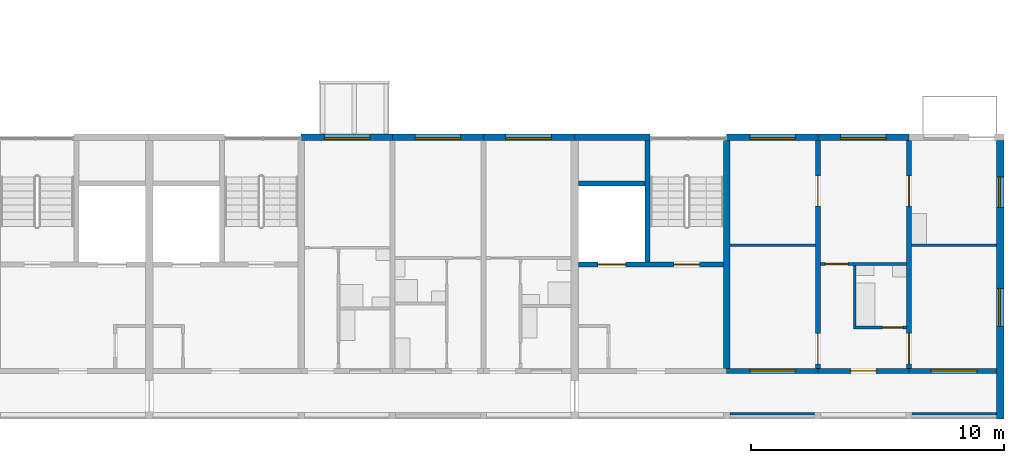
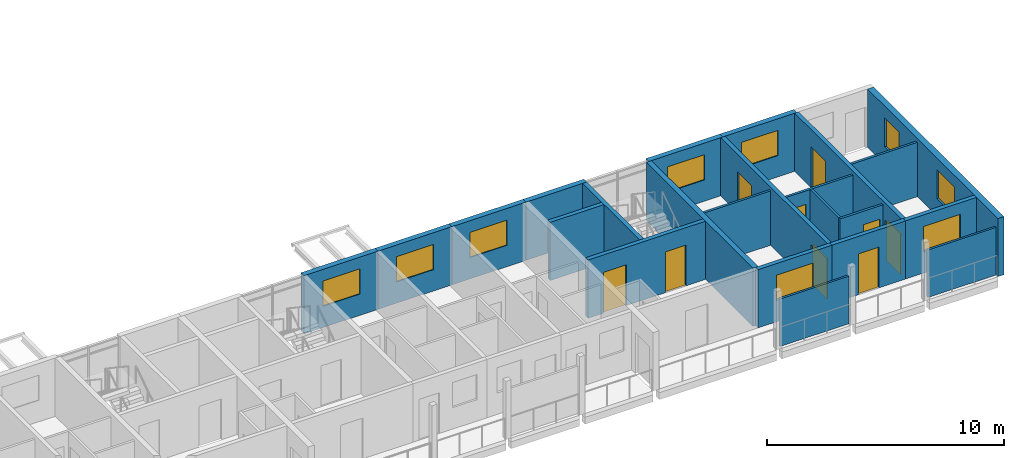
# One storey, part 53 of 94: 23 walls, 9 doors, 9 windows, 18 openings.
"""IFC4 building model written with IfcOpenShell, lengths in metres."""

import ifcopenshell
import ifcopenshell.guid

model = None  # the IFC model being written
_history = None  # IfcOwnerHistory: only IFC2X3 demands one
_inside = {}  # id of a spatial element -> (the spatial element, [elements in it])
_under = {}  # id of a project, library or spatial element -> (it, [spatial elements below it])
_declared = {}  # id of a project -> (the project, [libraries it declares])
_typed = {}  # id of a type object -> (the type object, [elements of that type])
_made_of = {}  # id of a material, layer set ... -> (it, [elements and type objects made of it])


def new_model(schema):
    """Start an empty IFC model of exactly this schema.

    Asked for "IFC4X3", IfcOpenShell would pick the latest addendum, in which some entities
    have other attributes; the version numbers below select the first issue.
    IFC2X3 requires an IfcOwnerHistory on every rooted entity: one is made here for all.
    """
    global model, _history
    if schema == "IFC4X3":
        model = ifcopenshell.file(schema_version=(4, 3, 0, 0))
    else:
        model = ifcopenshell.file(schema=schema)
    _inside.clear()
    _under.clear()
    _declared.clear()
    _typed.clear()
    _made_of.clear()
    _history = None
    if model.schema == "IFC2X3":
        org = make("IfcOrganization", Name="unknown")
        user = make(
            "IfcPersonAndOrganization",
            ThePerson=make("IfcPerson", FamilyName="unknown"),
            TheOrganization=org,
        )
        app = make(
            "IfcApplication",
            ApplicationDeveloper=org,
            Version="unknown",
            ApplicationFullName="unknown",
            ApplicationIdentifier="unknown",
        )
        _history = make(
            "IfcOwnerHistory",
            OwningUser=user,
            OwningApplication=app,
            ChangeAction="ADDED",
            CreationDate=0,
        )
    return model


def make(cls, **values):
    """One entity of the class cls with the attributes given. An attribute that is None is left unset."""
    return model.create_entity(
        cls, **{name: value for name, value in values.items() if value is not None}
    )


def rooted(cls, **values):
    """An entity with a GlobalId (a new one), such as an element, a storey or a relation."""
    return make(cls, GlobalId=ifcopenshell.guid.new(), OwnerHistory=_history, **values)


def si_unit(unit_type, name, prefix=None):
    """IfcSIUnit, for example si_unit("LENGTHUNIT", "METRE", prefix="MILLI")."""
    return make("IfcSIUnit", UnitType=unit_type, Prefix=prefix, Name=name)


def assignment(units):
    """IfcUnitAssignment: the units of a project."""
    return None if units is None else make("IfcUnitAssignment", Units=units)


def point(xyz):
    """IfcCartesianPoint."""
    return None if xyz is None else make("IfcCartesianPoint", Coordinates=xyz)


def direction(xyz):
    """IfcDirection."""
    return None if xyz is None else make("IfcDirection", DirectionRatios=xyz)


def frame(location, z_axis=None, x_axis=None):
    """IfcAxis2Placement3D, a coordinate frame: its origin and axes. An axis left out is left unset."""
    return make(
        "IfcAxis2Placement3D",
        Location=point(location),
        Axis=direction(z_axis),
        RefDirection=direction(x_axis),
    )


def frame_2d(location, x_axis=None):
    """IfcAxis2Placement2D, a coordinate frame in the plane: its origin and x axis."""
    return make(
        "IfcAxis2Placement2D", Location=point(location), RefDirection=direction(x_axis)
    )


def origin():
    """The frame at (0, 0, 0) with its axes left unset."""
    return frame((0.0, 0.0, 0.0))


def place(relative_to, where):
    """IfcLocalPlacement: puts the frame where relative to a parent placement (None: the world)."""
    return make(
        "IfcLocalPlacement", PlacementRelTo=relative_to, RelativePlacement=where
    )


def context(
    kind, dimensions, precision=None, world=None, true_north=None, identifier=None
):
    """IfcGeometricRepresentationContext, for example the 3D "Model" context."""
    return make(
        "IfcGeometricRepresentationContext",
        ContextIdentifier=identifier,
        ContextType=kind,
        CoordinateSpaceDimension=dimensions,
        Precision=precision,
        WorldCoordinateSystem=world,
        TrueNorth=true_north,
    )


def subcontext(parent, identifier, kind, view, scale=None):
    """IfcGeometricRepresentationSubContext, for example "Body" below "Model"."""
    return make(
        "IfcGeometricRepresentationSubContext",
        ContextIdentifier=identifier,
        ContextType=kind,
        ParentContext=parent,
        TargetScale=scale,
        TargetView=view,
    )


def project(units=None, contexts=None):
    """IfcProject with its units and contexts."""
    return rooted(
        "IfcProject",
        Name="project",
        RepresentationContexts=contexts,
        UnitsInContext=assignment(units),
    )


def spatial(cls, under=None, at=None, **own):
    """A site, building, storey or space (cls), placed at a placement, below another one or the project."""
    s = rooted(cls, ObjectPlacement=at, **own)
    if under is not None:
        _under.setdefault(under.id(), (under, []))[1].append(s)
    return s


def profile(cls, at=None, kind="AREA", **sizes):
    """A parametric profile (cls). Its sizes go by their IFC names, for example OverallWidth=200.0."""
    return make(cls, ProfileType=kind, Position=at, **sizes)


def rectangle(**sizes):
    """IfcRectangleProfileDef."""
    return profile("IfcRectangleProfileDef", **sizes)


def extrude(swept, where, along, depth):
    """IfcExtrudedAreaSolid: the profile swept, set in the frame where, extruded along a direction by depth."""
    return make(
        "IfcExtrudedAreaSolid",
        SweptArea=swept,
        Position=where,
        ExtrudedDirection=direction(along),
        Depth=depth,
    )


def shape(context_of_items, identifier, shape_type, items):
    """IfcShapeRepresentation: the items that make up one representation, for example the "Body"."""
    return make(
        "IfcShapeRepresentation",
        ContextOfItems=context_of_items,
        RepresentationIdentifier=identifier,
        RepresentationType=shape_type,
        Items=items,
    )


def material(Name=None, Category=None):
    """IfcMaterial."""
    return make("IfcMaterial", Name=Name, Category=Category)


def layer(
    of_material, thickness, ventilated=None, Name=None, Category=None, Priority=None
):
    """IfcMaterialLayer: one layer of a wall or slab, of a material (None: an air gap)."""
    return make(
        "IfcMaterialLayer",
        Material=of_material,
        LayerThickness=thickness,
        IsVentilated=ventilated,
        Name=Name,
        Category=Category,
        Priority=Priority,
    )


def layer_set(layers, Name=None):
    """IfcMaterialLayerSet."""
    return make("IfcMaterialLayerSet", MaterialLayers=layers, LayerSetName=Name)


def made_of(thing, what):
    """Note that an element or type object is made of a material, layer set ...; save() writes the relation."""
    if what is not None:
        _made_of.setdefault(what.id(), (what, []))[1].append(thing)
    return thing


def type_object(cls, material=None, **own):
    """A type object (cls), such as IfcWallType, which elements share."""
    return made_of(rooted(cls, **own), material)


def element(
    cls,
    number,
    at=None,
    inside=None,
    cuts=None,
    type_object=None,
    material=None,
    context=None,
    identifier="Body",
    shape_type=None,
    held_by="IfcProductDefinitionShape",
    body=None,
    shapes=None,
    **own,
):
    """One element of the class cls, such as IfcWall. Its Tag is "e" and its number.

    at: its placement. inside: the storey or other place that contains it. cuts: it is an
    opening in that element (IfcRelVoidsElement). A single representation is given by context,
    identifier, shape_type and body (its items); several are given by shapes. held_by: the class
    of the entity that holds the representations. save() writes the other relations.
    """
    e = rooted(cls, Tag="e%d" % number, ObjectPlacement=at, **own)
    if body is not None:
        shapes = [shape(context, identifier, shape_type, body)]
    if shapes is not None:
        e.Representation = make(held_by, Representations=shapes)
    if inside is not None:
        _inside.setdefault(inside.id(), (inside, []))[1].append(e)
    if cuts is not None:
        rooted(
            "IfcRelVoidsElement", RelatingBuildingElement=cuts, RelatedOpeningElement=e
        )
    if type_object is not None:
        _typed.setdefault(type_object.id(), (type_object, []))[1].append(e)
    return made_of(e, material)


def fill(opening, filler):
    """IfcRelFillsElement: the door or window that sits in an opening."""
    return rooted(
        "IfcRelFillsElement",
        RelatingOpeningElement=opening,
        RelatedBuildingElement=filler,
    )


def aggregate(whole, parts):
    """IfcRelAggregates: a whole, such as a stair, and the parts it consists of."""
    return rooted("IfcRelAggregates", RelatingObject=whole, RelatedObjects=parts)


def save(model, path):
    """Write the relations noted so far, then the file.

    IfcRelAggregates (storeys below a building ...), IfcRelContainedInSpatialStructure (elements
    in a storey), IfcRelDefinesByType, IfcRelAssociatesMaterial and IfcRelDeclares: one each for
    every whole, place, type object, material and project.
    """
    for whole, parts in _under.values():
        aggregate(whole, parts)
    for where, things in _inside.values():
        rooted(
            "IfcRelContainedInSpatialStructure",
            RelatedElements=things,
            RelatingStructure=where,
        )
    for kind, things in _typed.values():
        rooted("IfcRelDefinesByType", RelatedObjects=things, RelatingType=kind)
    for what, things in _made_of.values():
        rooted("IfcRelAssociatesMaterial", RelatedObjects=things, RelatingMaterial=what)
    for by, libraries in _declared.values():
        rooted("IfcRelDeclares", RelatingContext=by, RelatedDefinitions=libraries)
    model.write(path)


model = new_model("IFC4")

# Units and contexts
model_context = context("Model", 3, precision=1e-05, world=origin(), true_north=direction((0.0, 1.0)))
body_context = subcontext(model_context, "Body", "Model", "MODEL_VIEW")
ifc_project = project(units=[si_unit("LENGTHUNIT", "METRE"), si_unit("AREAUNIT", "SQUARE_METRE"), si_unit("VOLUMEUNIT", "CUBIC_METRE"), si_unit("PLANEANGLEUNIT", "RADIAN"), si_unit("MASSUNIT", "GRAM", prefix="KILO")], contexts=[model_context])

# Site, building, storey
site_placement = place(None, origin())
site = spatial("IfcSite", under=ifc_project, at=site_placement, CompositionType="ELEMENT")
building_placement = place(site_placement, origin())
building = spatial("IfcBuilding", under=site, at=building_placement, Name="Ridgestep Commons", CompositionType="ELEMENT")
storey_placement = place(building_placement, frame((0.0, 0.0, 21.0)))
storey = spatial("IfcBuildingStorey", under=building, at=storey_placement, Name="L07", CompositionType="ELEMENT", Elevation=21.0)

# Wall
ifc_material_1 = material(Name="Concrete C30/37", Category="concrete")
ifc_layer_1 = layer(ifc_material_1, 0.25)
ifc_layer_set_1 = layer_set([ifc_layer_1], Name="Core cross wall 250")
wall_type_1 = type_object("IfcWallType", Name="Core cross wall 250", PredefinedType="SHEAR", material=ifc_layer_set_1)
wall_1_placement = place(storey_placement, frame((236.800048828125, 13.75, 0.0), z_axis=(0.0, 0.0, 1.0), x_axis=(0.0, 1.0, 0.0)))
element("IfcWall", 1, at=wall_1_placement, inside=storey, type_object=wall_type_1, Name="Cross wall D-07-2368", PredefinedType="SHEAR", context=body_context, shape_type="SweptSolid", body=[
    extrude(rectangle(XDim=9.0, YDim=0.25, at=frame_2d((4.5, 0.0))), origin(), (0.0, 0.0, 1.0), 3.0),
])

# Wall, openings, doors
ifc_material_2 = material(Name="Concrete C30/37", Category="concrete")
ifc_layer_2 = layer(ifc_material_2, 0.199951171875)
ifc_layer_set_2 = layer_set([ifc_layer_2], Name="Core wall 200")
wall_type_2 = type_object("IfcWallType", Name="Core wall 200", PredefinedType="SHEAR", material=ifc_layer_set_2)
wall_2_placement = place(storey_placement, frame((230.949951171875, 17.85009765625, 0.0), z_axis=(0.0, 0.0, 1.0), x_axis=(1.0, 0.0, 0.0)))
wall_2 = element("IfcWall", 2, at=wall_2_placement, inside=storey, type_object=wall_type_2, Name="Core lobby wall D6C L07", PredefinedType="SHEAR", context=body_context, shape_type="SweptSolid", body=[
    extrude(rectangle(XDim=5.72509765625, YDim=0.199951171875, at=frame_2d((2.862548828125, 0.0))), origin(), (0.0, 0.0, 1.0), 3.0),
])
opening_1_placement = place(wall_2_placement, frame((3.77490234375, 0.0, 0.0)))
opening_1 = element("IfcOpeningElement", 3, at=opening_1_placement, cuts=wall_2, Name="Opening D6C/07/2", PredefinedType="OPENING", context=body_context, shape_type="SweptSolid", body=[
    extrude(rectangle(XDim=1.0, YDim=2.10009765625, at=frame_2d((0.5, 1.050048828125))), frame((0.0, 0.10986328125, 0.0), z_axis=(0.0, -1.0, 0.0), x_axis=(1.0, 0.0, 0.0)), (0.0, 0.0, 1.0), 0.219970703125),
])
opening_2_placement = place(wall_2_placement, frame((0.762451171875, 0.0, 0.0)))
opening_2 = element("IfcOpeningElement", 4, at=opening_2_placement, cuts=wall_2, Name="Opening D6C/07/3", PredefinedType="OPENING", context=body_context, shape_type="SweptSolid", body=[
    extrude(rectangle(XDim=1.10009765625, YDim=2.10009765625, at=frame_2d((0.550048828125, 1.050048828125))), frame((0.0, 0.10986328125, 0.0), z_axis=(0.0, -1.0, 0.0), x_axis=(1.0, 0.0, 0.0)), (0.0, 0.0, 1.0), 0.219970703125),
])
ifc_material_3 = material(Name="Stainless steel", Category="steel")
door_type_1 = type_object("IfcDoorType", Name="Lift landing door 1100 x 2100 FD60", OperationType="DOUBLE_DOOR_SLIDING", PredefinedType="DOOR", material=ifc_material_3)
door_1_placement = place(opening_2_placement, origin())
door_1 = element("IfcDoor", 5, at=door_1_placement, inside=storey, type_object=door_type_1, Name="Landing door LD D6C L07", OperationType="DOUBLE_DOOR_SLIDING", OverallHeight=2.10009765625, OverallWidth=1.10009765625, PredefinedType="DOOR", context=body_context, shape_type="SweptSolid", body=[
    extrude(rectangle(XDim=1.10009765625, YDim=2.10009765625, at=frame_2d((0.550048828125, 1.050048828125))), frame((0.0, 0.02490234375, 0.0), z_axis=(0.0, -1.0, 0.0), x_axis=(1.0, 0.0, 0.0)), (0.0, 0.0, 1.0), 0.050048828125),
])
fill(opening_2, door_1)
ifc_material_4 = material(Name="Steel fire door", Category="steel")
door_type_2 = type_object("IfcDoorType", Name="Stair door 1000 x 2100 FD60", OperationType="NOTDEFINED", PredefinedType="DOOR", material=ifc_material_4)
door_2_placement = place(opening_1_placement, origin())
door_2 = element("IfcDoor", 6, at=door_2_placement, inside=storey, type_object=door_type_2, Name="Stair door D6C/07/2", OperationType="SINGLE_SWING_RIGHT", OverallHeight=2.10009765625, OverallWidth=1.0, PredefinedType="DOOR", context=body_context, shape_type="SweptSolid", body=[
    extrude(rectangle(XDim=1.0, YDim=2.10009765625, at=frame_2d((0.5, 1.050048828125))), frame((0.0, 0.02490234375, 0.0), z_axis=(0.0, -1.0, 0.0), x_axis=(1.0, 0.0, 0.0)), (0.0, 0.0, 1.0), 0.050048828125),
])
fill(opening_1, door_2)

# Walls
wall_3_placement = place(storey_placement, frame((233.675048828125, 17.949951171875, 0.0), z_axis=(0.0, 0.0, 1.0), x_axis=(0.0, 1.0, 0.0)))
element("IfcWall", 7, at=wall_3_placement, inside=storey, type_object=wall_type_2, Name="Core stair wall D6C L07", PredefinedType="SHEAR", context=body_context, shape_type="SweptSolid", body=[
    extrude(rectangle(XDim=4.800048828125, YDim=0.199951171875, at=frame_2d((2.39990234375, 0.0))), origin(), (0.0, 0.0, 1.0), 3.0),
])
wall_4_placement = place(storey_placement, frame((230.949951171875, 21.050048828125, 0.0), z_axis=(0.0, 0.0, 1.0), x_axis=(1.0, 0.0, 0.0)))
element("IfcWall", 8, at=wall_4_placement, inside=storey, type_object=wall_type_2, Name="Core duct wall D6C L07", PredefinedType="SHEAR", context=body_context, shape_type="SweptSolid", body=[
    extrude(rectangle(XDim=2.625, YDim=0.199951171875, at=frame_2d((1.3125, 0.0))), origin(), (0.0, 0.0, 1.0), 3.0),
])

# Wall, openings, doors
ifc_material_5 = material(Name="Precast concrete C40/50", Category="concrete")
ifc_layer_3 = layer(ifc_material_5, 0.199951171875)
ifc_layer_set_3 = layer_set([ifc_layer_3], Name="Cross wall 200")
wall_type_3 = type_object("IfcWallType", Name="Cross wall 200", PredefinedType="SHEAR", material=ifc_layer_set_3)
wall_5_placement = place(storey_placement, frame((240.39990234375, 13.75, 0.0), z_axis=(0.0, 0.0, 1.0), x_axis=(0.0, 1.0, 0.0)))
wall_5 = element("IfcWall", 9, at=wall_5_placement, inside=storey, type_object=wall_type_3, Name="Cross wall D-07-2404", PredefinedType="SHEAR", context=body_context, shape_type="SweptSolid", body=[
    extrude(rectangle(XDim=9.0, YDim=0.199951171875, at=frame_2d((4.5, 0.0))), origin(), (0.0, 0.0, 1.0), 3.0),
])
opening_3_placement = place(wall_5_placement, frame((0.175048828125, 0.0, 0.0)))
opening_3 = element("IfcOpeningElement", 10, at=opening_3_placement, cuts=wall_5, Name="Opening D6-07a/4", PredefinedType="OPENING", context=body_context, shape_type="SweptSolid", body=[
    extrude(rectangle(XDim=1.199951171875, YDim=2.10009765625, at=frame_2d((0.60009765625, 1.050048828125))), frame((0.0, 0.10986328125, 0.0), z_axis=(0.0, -1.0, 0.0), x_axis=(1.0, 0.0, 0.0)), (0.0, 0.0, 1.0), 0.219970703125),
])
opening_4_placement = place(wall_5_placement, frame((6.39990234375, 0.0, 0.0)))
opening_4 = element("IfcOpeningElement", 11, at=opening_4_placement, cuts=wall_5, Name="Opening D6-07a/5", PredefinedType="OPENING", context=body_context, shape_type="SweptSolid", body=[
    extrude(rectangle(XDim=1.199951171875, YDim=2.10009765625, at=frame_2d((0.60009765625, 1.050048828125))), frame((0.0, 0.10986328125, 0.0), z_axis=(0.0, -1.0, 0.0), x_axis=(1.0, 0.0, 0.0)), (0.0, 0.0, 1.0), 0.219970703125),
])
ifc_material_6 = material(Name="Timber door leaf", Category="wood")
door_type_3 = type_object("IfcDoorType", Name="Double door 1200 x 2100", OperationType="DOUBLE_DOOR_SINGLE_SWING", PredefinedType="DOOR", material=ifc_material_6)
door_3_placement = place(opening_3_placement, origin())
door_3 = element("IfcDoor", 12, at=door_3_placement, inside=storey, type_object=door_type_3, Name="Double door D6-07a/4", OperationType="DOUBLE_DOOR_SINGLE_SWING", OverallHeight=2.10009765625, OverallWidth=1.199951171875, PredefinedType="DOOR", context=body_context, shape_type="SweptSolid", body=[
    extrude(rectangle(XDim=1.199951171875, YDim=2.10009765625, at=frame_2d((0.60009765625, 1.050048828125))), frame((0.0, 0.02490234375, 0.0), z_axis=(0.0, -1.0, 0.0), x_axis=(1.0, 0.0, 0.0)), (0.0, 0.0, 1.0), 0.050048828125),
])
fill(opening_3, door_3)
door_4_placement = place(opening_4_placement, origin())
door_4 = element("IfcDoor", 13, at=door_4_placement, inside=storey, type_object=door_type_3, Name="Double door D6-07a/5", OperationType="DOUBLE_DOOR_SINGLE_SWING", OverallHeight=2.10009765625, OverallWidth=1.199951171875, PredefinedType="DOOR", context=body_context, shape_type="SweptSolid", body=[
    extrude(rectangle(XDim=1.199951171875, YDim=2.10009765625, at=frame_2d((0.60009765625, 1.050048828125))), frame((0.0, 0.02490234375, 0.0), z_axis=(0.0, -1.0, 0.0), x_axis=(1.0, 0.0, 0.0)), (0.0, 0.0, 1.0), 0.050048828125),
])
fill(opening_4, door_4)

wall_6_placement = place(storey_placement, frame((244.0, 13.75, 0.0), z_axis=(0.0, 0.0, 1.0), x_axis=(0.0, 1.0, 0.0)))
wall_6 = element("IfcWall", 14, at=wall_6_placement, inside=storey, type_object=wall_type_3, Name="Cross wall D-07-2440", PredefinedType="SHEAR", context=body_context, shape_type="SweptSolid", body=[
    extrude(rectangle(XDim=9.0, YDim=0.199951171875, at=frame_2d((4.5, 0.0))), origin(), (0.0, 0.0, 1.0), 3.0),
])
opening_5_placement = place(wall_6_placement, frame((0.175048828125, 0.0, 0.0)))
opening_5 = element("IfcOpeningElement", 15, at=opening_5_placement, cuts=wall_6, Name="Opening D6-07a/6", PredefinedType="OPENING", context=body_context, shape_type="SweptSolid", body=[
    extrude(rectangle(XDim=1.199951171875, YDim=2.10009765625, at=frame_2d((0.60009765625, 1.050048828125))), frame((0.0, 0.10986328125, 0.0), z_axis=(0.0, -1.0, 0.0), x_axis=(1.0, 0.0, 0.0)), (0.0, 0.0, 1.0), 0.219970703125),
])
opening_6_placement = place(wall_6_placement, frame((6.39990234375, 0.0, 0.0)))
opening_6 = element("IfcOpeningElement", 16, at=opening_6_placement, cuts=wall_6, Name="Opening D6-07a/7", PredefinedType="OPENING", context=body_context, shape_type="SweptSolid", body=[
    extrude(rectangle(XDim=1.199951171875, YDim=2.10009765625, at=frame_2d((0.60009765625, 1.050048828125))), frame((0.0, 0.10986328125, 0.0), z_axis=(0.0, -1.0, 0.0), x_axis=(1.0, 0.0, 0.0)), (0.0, 0.0, 1.0), 0.219970703125),
])
door_5_placement = place(opening_5_placement, origin())
door_5 = element("IfcDoor", 17, at=door_5_placement, inside=storey, type_object=door_type_3, Name="Double door D6-07a/6", OperationType="DOUBLE_DOOR_SINGLE_SWING", OverallHeight=2.10009765625, OverallWidth=1.199951171875, PredefinedType="DOOR", context=body_context, shape_type="SweptSolid", body=[
    extrude(rectangle(XDim=1.199951171875, YDim=2.10009765625, at=frame_2d((0.60009765625, 1.050048828125))), frame((0.0, 0.02490234375, 0.0), z_axis=(0.0, -1.0, 0.0), x_axis=(1.0, 0.0, 0.0)), (0.0, 0.0, 1.0), 0.050048828125),
])
fill(opening_5, door_5)
door_6_placement = place(opening_6_placement, origin())
door_6 = element("IfcDoor", 18, at=door_6_placement, inside=storey, type_object=door_type_3, Name="Double door D6-07a/7", OperationType="DOUBLE_DOOR_SINGLE_SWING", OverallHeight=2.10009765625, OverallWidth=1.199951171875, PredefinedType="DOOR", context=body_context, shape_type="SweptSolid", body=[
    extrude(rectangle(XDim=1.199951171875, YDim=2.10009765625, at=frame_2d((0.60009765625, 1.050048828125))), frame((0.0, 0.02490234375, 0.0), z_axis=(0.0, -1.0, 0.0), x_axis=(1.0, 0.0, 0.0)), (0.0, 0.0, 1.0), 0.050048828125),
])
fill(opening_6, door_6)

# Wall, openings, windows
ifc_material_7 = material(Name="Precast concrete C40/50", Category="concrete")
ifc_layer_4 = layer(ifc_material_7, 0.300048828125)
ifc_layer_set_4 = layer_set([ifc_layer_4], Name="Exposed division wall 300")
wall_type_4 = type_object("IfcWallType", Name="Exposed division wall 300", PredefinedType="SHEAR", material=ifc_layer_set_4)
wall_7_placement = place(storey_placement, frame((247.60009765625, 11.75, 0.0), z_axis=(0.0, 0.0, 1.0), x_axis=(0.0, 1.0, 0.0)))
wall_7 = element("IfcWall", 19, at=wall_7_placement, inside=storey, type_object=wall_type_4, Name="Cross wall D-07-2476", PredefinedType="SHEAR", context=body_context, shape_type="SweptSolid", body=[
    extrude(rectangle(XDim=11.0, YDim=0.300048828125, at=frame_2d((5.5, 0.0))), origin(), (0.0, 0.0, 1.0), 3.0),
])
opening_7_placement = place(wall_7_placement, frame((3.64990234375, 0.0, 0.89990234375)))
opening_7 = element("IfcOpeningElement", 20, at=opening_7_placement, cuts=wall_7, Name="Opening W16", PredefinedType="OPENING", context=body_context, shape_type="SweptSolid", body=[
    extrude(rectangle(XDim=1.5, YDim=1.5, at=frame_2d((0.75, 0.75))), frame((0.0, 0.159912109375, 0.0), z_axis=(0.0, -1.0, 0.0), x_axis=(1.0, 0.0, 0.0)), (0.0, 0.0, 1.0), 0.320068359375),
])
opening_8_placement = place(wall_7_placement, frame((8.35498046875, 0.0, 0.89990234375)))
opening_8 = element("IfcOpeningElement", 21, at=opening_8_placement, cuts=wall_7, Name="Opening W10", PredefinedType="OPENING", context=body_context, shape_type="SweptSolid", body=[
    extrude(rectangle(XDim=1.199951171875, YDim=1.5, at=frame_2d((0.60009765625, 0.75))), frame((0.0, 0.159912109375, 0.0), z_axis=(0.0, -1.0, 0.0), x_axis=(1.0, 0.0, 0.0)), (0.0, 0.0, 1.0), 0.320068359375),
])
ifc_material_8 = material(Name="Aluminium 6063-T6 and glass", Category="aluminium")
window_type_1 = type_object("IfcWindowType", Name="Flat window 1200 x 1500", PartitioningType="SINGLE_PANEL", PredefinedType="WINDOW", material=ifc_material_8)
window_1_placement = place(opening_8_placement, origin())
window_1 = element("IfcWindow", 22, at=window_1_placement, inside=storey, type_object=window_type_1, Name="Window D6-07a 7", OverallHeight=1.5, OverallWidth=1.199951171875, PartitioningType="SINGLE_PANEL", PredefinedType="WINDOW", context=body_context, shape_type="SweptSolid", body=[
    extrude(rectangle(XDim=1.199951171875, YDim=1.5, at=frame_2d((0.60009765625, 0.75))), frame((0.0, 0.06005859375, 0.0), z_axis=(0.0, -1.0, 0.0), x_axis=(1.0, 0.0, 0.0)), (0.0, 0.0, 1.0), 0.06005859375),
])
fill(opening_8, window_1)
ifc_material_9 = material(Name="Aluminium 6063-T6 and glass", Category="aluminium")
window_type_2 = type_object("IfcWindowType", Name="Flat window 1500 x 1500", PartitioningType="DOUBLE_PANEL_VERTICAL", PredefinedType="WINDOW", material=ifc_material_9)
window_2_placement = place(opening_7_placement, origin())
window_2 = element("IfcWindow", 23, at=window_2_placement, inside=storey, type_object=window_type_2, Name="Window D6-07a 6", OverallHeight=1.5, OverallWidth=1.5, PartitioningType="SINGLE_PANEL", PredefinedType="WINDOW", context=body_context, shape_type="SweptSolid", body=[
    extrude(rectangle(XDim=1.5, YDim=1.5, at=frame_2d((0.75, 0.75))), frame((0.0, 0.06005859375, 0.0), z_axis=(0.0, -1.0, 0.0), x_axis=(1.0, 0.0, 0.0)), (0.0, 0.0, 1.0), 0.06005859375),
])
fill(opening_7, window_2)

# Wall, opening, window
ifc_material_10 = material(Name="Precast concrete C40/50", Category="concrete")
ifc_layer_5 = layer(ifc_material_10, 0.25)
ifc_layer_set_5 = layer_set([ifc_layer_5], Name="North facade panel 250")
wall_type_5 = type_object("IfcWallType", Name="North facade panel 250", PredefinedType="SOLIDWALL", material=ifc_layer_set_5)
wall_8_placement = place(storey_placement, frame((220.0, 22.875, 0.0), z_axis=(0.0, 0.0, 1.0), x_axis=(1.0, 0.0, 0.0)))
wall_8 = element("IfcWall", 24, at=wall_8_placement, inside=storey, type_object=wall_type_5, Name="North panel D5T3 L07", PredefinedType="SOLIDWALL", context=body_context, shape_type="SweptSolid", body=[
    extrude(rectangle(XDim=3.60009765625, YDim=0.25, at=frame_2d((1.800048828125, 0.0))), origin(), (0.0, 0.0, 1.0), 3.0),
])
opening_9_placement = place(wall_8_placement, frame((0.91259765625, 0.0, 1.10009765625)))
opening_9 = element("IfcOpeningElement", 25, at=opening_9_placement, cuts=wall_8, Name="Opening W18", PredefinedType="OPENING", context=body_context, shape_type="SweptSolid", body=[
    extrude(rectangle(XDim=1.800048828125, YDim=1.300048828125, at=frame_2d((0.89990234375, 0.64990234375))), frame((0.0, 0.135009765625, 0.0), z_axis=(0.0, -1.0, 0.0), x_axis=(1.0, 0.0, 0.0)), (0.0, 0.0, 1.0), 0.27001953125),
])
ifc_material_11 = material(Name="Aluminium 6063-T6 and glass", Category="aluminium")
window_type_3 = type_object("IfcWindowType", Name="Flat window 1800 x 1300", PartitioningType="DOUBLE_PANEL_VERTICAL", PredefinedType="WINDOW", material=ifc_material_11)
window_3_placement = place(opening_9_placement, origin())
window_3 = element("IfcWindow", 26, at=window_3_placement, inside=storey, type_object=window_type_3, Name="Window D5-07c 2", OverallHeight=1.300048828125, OverallWidth=1.800048828125, PartitioningType="SINGLE_PANEL", PredefinedType="WINDOW", context=body_context, shape_type="SweptSolid", body=[
    extrude(rectangle(XDim=1.800048828125, YDim=1.300048828125, at=frame_2d((0.89990234375, 0.64990234375))), frame((0.0, -0.02490234375, 0.0), z_axis=(0.0, -1.0, 0.0), x_axis=(1.0, 0.0, 0.0)), (0.0, 0.0, 1.0), 0.06005859375),
])
fill(opening_9, window_3)

wall_9_placement = place(storey_placement, frame((223.60009765625, 22.875, 0.0), z_axis=(0.0, 0.0, 1.0), x_axis=(1.0, 0.0, 0.0)))
wall_9 = element("IfcWall", 27, at=wall_9_placement, inside=storey, type_object=wall_type_5, Name="North panel D5T2 L07", PredefinedType="SOLIDWALL", context=body_context, shape_type="SweptSolid", body=[
    extrude(rectangle(XDim=3.599853515625, YDim=0.25, at=frame_2d((1.7998046875, 0.0))), origin(), (0.0, 0.0, 1.0), 3.0),
])
opening_10_placement = place(wall_9_placement, frame((0.89990234375, 0.0, 1.10009765625)))
opening_10 = element("IfcOpeningElement", 28, at=opening_10_placement, cuts=wall_9, Name="Opening W18", PredefinedType="OPENING", context=body_context, shape_type="SweptSolid", body=[
    extrude(rectangle(XDim=1.800048828125, YDim=1.300048828125, at=frame_2d((0.89990234375, 0.64990234375))), frame((0.0, 0.135009765625, 0.0), z_axis=(0.0, -1.0, 0.0), x_axis=(1.0, 0.0, 0.0)), (0.0, 0.0, 1.0), 0.27001953125),
])
window_4_placement = place(opening_10_placement, origin())
window_4 = element("IfcWindow", 29, at=window_4_placement, inside=storey, type_object=window_type_3, Name="Window D5-07b 2", OverallHeight=1.300048828125, OverallWidth=1.800048828125, PartitioningType="SINGLE_PANEL", PredefinedType="WINDOW", context=body_context, shape_type="SweptSolid", body=[
    extrude(rectangle(XDim=1.800048828125, YDim=1.300048828125, at=frame_2d((0.89990234375, 0.64990234375))), frame((0.0, -0.02490234375, 0.0), z_axis=(0.0, -1.0, 0.0), x_axis=(1.0, 0.0, 0.0)), (0.0, 0.0, 1.0), 0.06005859375),
])
fill(opening_10, window_4)

wall_10_placement = place(storey_placement, frame((227.199951171875, 22.875, 0.0), z_axis=(0.0, 0.0, 1.0), x_axis=(1.0, 0.0, 0.0)))
wall_10 = element("IfcWall", 30, at=wall_10_placement, inside=storey, type_object=wall_type_5, Name="North panel D5T1 L07", PredefinedType="SOLIDWALL", context=body_context, shape_type="SweptSolid", body=[
    extrude(rectangle(XDim=3.60009765625, YDim=0.25, at=frame_2d((1.800048828125, 0.0))), origin(), (0.0, 0.0, 1.0), 3.0),
])
opening_11_placement = place(wall_10_placement, frame((0.875, 0.0, 1.10009765625)))
opening_11 = element("IfcOpeningElement", 31, at=opening_11_placement, cuts=wall_10, Name="Opening W18", PredefinedType="OPENING", context=body_context, shape_type="SweptSolid", body=[
    extrude(rectangle(XDim=1.800048828125, YDim=1.300048828125, at=frame_2d((0.89990234375, 0.64990234375))), frame((0.0, 0.135009765625, 0.0), z_axis=(0.0, -1.0, 0.0), x_axis=(1.0, 0.0, 0.0)), (0.0, 0.0, 1.0), 0.27001953125),
])
window_5_placement = place(opening_11_placement, origin())
window_5 = element("IfcWindow", 32, at=window_5_placement, inside=storey, type_object=window_type_3, Name="Window D5-07a 2", OverallHeight=1.300048828125, OverallWidth=1.800048828125, PartitioningType="SINGLE_PANEL", PredefinedType="WINDOW", context=body_context, shape_type="SweptSolid", body=[
    extrude(rectangle(XDim=1.800048828125, YDim=1.300048828125, at=frame_2d((0.89990234375, 0.64990234375))), frame((0.0, -0.02490234375, 0.0), z_axis=(0.0, -1.0, 0.0), x_axis=(1.0, 0.0, 0.0)), (0.0, 0.0, 1.0), 0.06005859375),
])
fill(opening_11, window_5)

# Wall
wall_11_placement = place(storey_placement, frame((230.800048828125, 22.875, 0.0), z_axis=(0.0, 0.0, 1.0), x_axis=(1.0, 0.0, 0.0)))
element("IfcWall", 33, at=wall_11_placement, inside=storey, type_object=wall_type_5, Name="North panel D6C L07", PredefinedType="SOLIDWALL", context=body_context, shape_type="SweptSolid", body=[
    extrude(rectangle(XDim=2.974853515625, YDim=0.25, at=frame_2d((1.4873046875, 0.0))), origin(), (0.0, 0.0, 1.0), 3.0),
])

# Wall, opening, window
wall_12_placement = place(storey_placement, frame((236.800048828125, 22.875, 0.0), z_axis=(0.0, 0.0, 1.0), x_axis=(1.0, 0.0, 0.0)))
wall_12 = element("IfcWall", 34, at=wall_12_placement, inside=storey, type_object=wall_type_5, Name="North panel D6T3 L07", PredefinedType="SOLIDWALL", context=body_context, shape_type="SweptSolid", body=[
    extrude(rectangle(XDim=3.599853515625, YDim=0.25, at=frame_2d((1.7998046875, 0.0))), origin(), (0.0, 0.0, 1.0), 3.0),
])
opening_12_placement = place(wall_12_placement, frame((0.91259765625, 0.0, 1.10009765625)))
opening_12 = element("IfcOpeningElement", 35, at=opening_12_placement, cuts=wall_12, Name="Opening W18", PredefinedType="OPENING", context=body_context, shape_type="SweptSolid", body=[
    extrude(rectangle(XDim=1.800048828125, YDim=1.300048828125, at=frame_2d((0.89990234375, 0.64990234375))), frame((0.0, 0.135009765625, 0.0), z_axis=(0.0, -1.0, 0.0), x_axis=(1.0, 0.0, 0.0)), (0.0, 0.0, 1.0), 0.27001953125),
])
window_6_placement = place(opening_12_placement, origin())
window_6 = element("IfcWindow", 36, at=window_6_placement, inside=storey, type_object=window_type_3, Name="Window D6-07a 2", OverallHeight=1.300048828125, OverallWidth=1.800048828125, PartitioningType="SINGLE_PANEL", PredefinedType="WINDOW", context=body_context, shape_type="SweptSolid", body=[
    extrude(rectangle(XDim=1.800048828125, YDim=1.300048828125, at=frame_2d((0.89990234375, 0.64990234375))), frame((0.0, -0.02490234375, 0.0), z_axis=(0.0, -1.0, 0.0), x_axis=(1.0, 0.0, 0.0)), (0.0, 0.0, 1.0), 0.06005859375),
])
fill(opening_12, window_6)

wall_13_placement = place(storey_placement, frame((240.39990234375, 22.875, 0.0), z_axis=(0.0, 0.0, 1.0), x_axis=(1.0, 0.0, 0.0)))
wall_13 = element("IfcWall", 37, at=wall_13_placement, inside=storey, type_object=wall_type_5, Name="North panel D6T2 L07", PredefinedType="SOLIDWALL", context=body_context, shape_type="SweptSolid", body=[
    extrude(rectangle(XDim=3.60009765625, YDim=0.25, at=frame_2d((1.800048828125, 0.0))), origin(), (0.0, 0.0, 1.0), 3.0),
])
opening_13_placement = place(wall_13_placement, frame((0.89990234375, 0.0, 1.10009765625)))
opening_13 = element("IfcOpeningElement", 38, at=opening_13_placement, cuts=wall_13, Name="Opening W18", PredefinedType="OPENING", context=body_context, shape_type="SweptSolid", body=[
    extrude(rectangle(XDim=1.800048828125, YDim=1.300048828125, at=frame_2d((0.89990234375, 0.64990234375))), frame((0.0, 0.135009765625, 0.0), z_axis=(0.0, -1.0, 0.0), x_axis=(1.0, 0.0, 0.0)), (0.0, 0.0, 1.0), 0.27001953125),
])
window_7_placement = place(opening_13_placement, origin())
window_7 = element("IfcWindow", 39, at=window_7_placement, inside=storey, type_object=window_type_3, Name="Window D6-07a 5", OverallHeight=1.300048828125, OverallWidth=1.800048828125, PartitioningType="SINGLE_PANEL", PredefinedType="WINDOW", context=body_context, shape_type="SweptSolid", body=[
    extrude(rectangle(XDim=1.800048828125, YDim=1.300048828125, at=frame_2d((0.89990234375, 0.64990234375))), frame((0.0, -0.02490234375, 0.0), z_axis=(0.0, -1.0, 0.0), x_axis=(1.0, 0.0, 0.0)), (0.0, 0.0, 1.0), 0.06005859375),
])
fill(opening_13, window_7)

# Wall, opening, door
ifc_material_12 = material(Name="Common brick 110 mm", Category="masonry")
ifc_layer_6 = layer(ifc_material_12, 0.110107421875)
ifc_layer_set_6 = layer_set([ifc_layer_6], Name="Partition 110")
wall_type_6 = type_object("IfcWallType", Name="Partition 110", PredefinedType="PARTITIONING", material=ifc_layer_set_6)
wall_14_placement = place(storey_placement, frame((241.800048828125, 15.35498046875, 0.0), z_axis=(0.0, 0.0, 1.0), x_axis=(1.0, 0.0, 0.0)))
wall_14 = element("IfcWall", 40, at=wall_14_placement, inside=storey, type_object=wall_type_6, Name="Partition D6-07a", PredefinedType="PARTITIONING", context=body_context, shape_type="SweptSolid", body=[
    extrude(rectangle(XDim=2.099853515625, YDim=0.110107421875, at=frame_2d((1.0498046875, 0.0))), origin(), (0.0, 0.0, 1.0), 2.800048828125),
])
opening_14_placement = place(wall_14_placement, frame((1.14990234375, 0.0, 0.0)))
opening_14 = element("IfcOpeningElement", 41, at=opening_14_placement, cuts=wall_14, Name="Opening D6-07a/2", PredefinedType="OPENING", context=body_context, shape_type="SweptSolid", body=[
    extrude(rectangle(XDim=0.800048828125, YDim=2.10009765625, at=frame_2d((0.39990234375, 1.050048828125))), frame((0.0, 0.06494140625, 0.0), z_axis=(0.0, -1.0, 0.0), x_axis=(1.0, 0.0, 0.0)), (0.0, 0.0, 1.0), 0.130126953125),
])
ifc_material_13 = material(Name="Timber door leaf", Category="wood")
door_type_4 = type_object("IfcDoorType", Name="Internal door 800 x 2100", OperationType="NOTDEFINED", PredefinedType="DOOR", material=ifc_material_13)
door_7_placement = place(opening_14_placement, origin())
door_7 = element("IfcDoor", 42, at=door_7_placement, inside=storey, type_object=door_type_4, Name="Internal door D6-07a/2", OperationType="SINGLE_SWING_RIGHT", OverallHeight=2.10009765625, OverallWidth=0.800048828125, PredefinedType="DOOR", context=body_context, shape_type="SweptSolid", body=[
    extrude(rectangle(XDim=0.800048828125, YDim=2.10009765625, at=frame_2d((0.39990234375, 1.050048828125))), frame((0.0, 0.02490234375, 0.0), z_axis=(0.0, -1.0, 0.0), x_axis=(1.0, 0.0, 0.0)), (0.0, 0.0, 1.0), 0.050048828125),
])
fill(opening_14, door_7)

# Wall
wall_15_placement = place(storey_placement, frame((241.85498046875, 15.409912109375, 0.0), z_axis=(0.0, 0.0, 1.0), x_axis=(0.0, 1.0, 0.0)))
element("IfcWall", 43, at=wall_15_placement, inside=storey, type_object=wall_type_6, Name="Partition D6-07a", PredefinedType="PARTITIONING", context=body_context, shape_type="SweptSolid", body=[
    extrude(rectangle(XDim=2.400146484375, YDim=0.110107421875, at=frame_2d((1.2001953125, 0.0))), origin(), (0.0, 0.0, 1.0), 2.800048828125),
])

# Wall, opening, door
wall_16_placement = place(storey_placement, frame((240.5, 17.864990234375, 0.0), z_axis=(0.0, 0.0, 1.0), x_axis=(1.0, 0.0, 0.0)))
wall_16 = element("IfcWall", 44, at=wall_16_placement, inside=storey, type_object=wall_type_6, Name="Partition D6-07a", PredefinedType="PARTITIONING", context=body_context, shape_type="SweptSolid", body=[
    extrude(rectangle(XDim=3.39990234375, YDim=0.110107421875, at=frame_2d((1.699951171875, 0.0))), origin(), (0.0, 0.0, 1.0), 2.800048828125),
])
opening_15_placement = place(wall_16_placement, frame((0.199951171875, 0.0, 0.0)))
opening_15 = element("IfcOpeningElement", 45, at=opening_15_placement, cuts=wall_16, Name="Opening D6-07a/3", PredefinedType="OPENING", context=body_context, shape_type="SweptSolid", body=[
    extrude(rectangle(XDim=0.89990234375, YDim=2.10009765625, at=frame_2d((0.449951171875, 1.050048828125))), frame((0.0, 0.06494140625, 0.0), z_axis=(0.0, -1.0, 0.0), x_axis=(1.0, 0.0, 0.0)), (0.0, 0.0, 1.0), 0.130126953125),
])
ifc_material_14 = material(Name="Timber door leaf", Category="wood")
door_type_5 = type_object("IfcDoorType", Name="Internal door 900 x 2100", OperationType="NOTDEFINED", PredefinedType="DOOR", material=ifc_material_14)
door_8_placement = place(opening_15_placement, origin())
door_8 = element("IfcDoor", 46, at=door_8_placement, inside=storey, type_object=door_type_5, Name="Internal door D6-07a/3", OperationType="SINGLE_SWING_LEFT", OverallHeight=2.10009765625, OverallWidth=0.89990234375, PredefinedType="DOOR", context=body_context, shape_type="SweptSolid", body=[
    extrude(rectangle(XDim=0.89990234375, YDim=2.10009765625, at=frame_2d((0.449951171875, 1.050048828125))), frame((0.0, 0.02490234375, 0.0), z_axis=(0.0, -1.0, 0.0), x_axis=(1.0, 0.0, 0.0)), (0.0, 0.0, 1.0), 0.050048828125),
])
fill(opening_15, door_8)

# Walls
wall_17_placement = place(storey_placement, frame((236.925048828125, 18.60498046875, 0.0), z_axis=(0.0, 0.0, 1.0), x_axis=(1.0, 0.0, 0.0)))
element("IfcWall", 47, at=wall_17_placement, inside=storey, type_object=wall_type_6, Name="Partition D6-07a", PredefinedType="PARTITIONING", context=body_context, shape_type="SweptSolid", body=[
    extrude(rectangle(XDim=3.375, YDim=0.110107421875, at=frame_2d((1.6875, 0.0))), origin(), (0.0, 0.0, 1.0), 2.800048828125),
])
wall_18_placement = place(storey_placement, frame((244.10009765625, 18.60498046875, 0.0), z_axis=(0.0, 0.0, 1.0), x_axis=(1.0, 0.0, 0.0)))
element("IfcWall", 48, at=wall_18_placement, inside=storey, type_object=wall_type_6, Name="Partition D6-07a", PredefinedType="PARTITIONING", context=body_context, shape_type="SweptSolid", body=[
    extrude(rectangle(XDim=3.349853515625, YDim=0.110107421875, at=frame_2d((1.6748046875, 0.0))), origin(), (0.0, 0.0, 1.0), 2.800048828125),
])
ifc_material_15 = material(Name="Precast concrete C30/37", Category="concrete")
ifc_layer_7 = layer(ifc_material_15, 0.10009765625)
ifc_layer_set_7 = layer_set([ifc_layer_7], Name="Perforated gallery screen 3325 x 2450 x 100")
wall_type_7 = type_object("IfcWallType", Name="Perforated gallery screen 3325 x 2450 x 100", PredefinedType="SOLIDWALL", material=ifc_layer_set_7)
wall_19_placement = place(storey_placement, frame((244.125, 11.949951171875, 0.0), z_axis=(0.0, 0.0, 1.0), x_axis=(1.0, 0.0, 0.0)))
element("IfcWall", 49, at=wall_19_placement, inside=storey, type_object=wall_type_7, Name="Gallery screen D6T1 07", PredefinedType="SOLIDWALL", context=body_context, shape_type="SweptSolid", body=[
    extrude(rectangle(XDim=3.324951171875, YDim=0.10009765625, at=frame_2d((1.66259765625, 0.0))), origin(), (0.0, 0.0, 1.0), 2.449951171875),
])
ifc_material_16 = material(Name="Precast concrete C30/37", Category="concrete")
ifc_layer_8 = layer(ifc_material_16, 0.10009765625)
ifc_layer_set_8 = layer_set([ifc_layer_8], Name="Perforated gallery screen 3350 x 2450 x 100")
wall_type_8 = type_object("IfcWallType", Name="Perforated gallery screen 3350 x 2450 x 100", PredefinedType="SOLIDWALL", material=ifc_layer_set_8)
wall_20_placement = place(storey_placement, frame((236.925048828125, 11.949951171875, 0.0), z_axis=(0.0, 0.0, 1.0), x_axis=(1.0, 0.0, 0.0)))
element("IfcWall", 50, at=wall_20_placement, inside=storey, type_object=wall_type_8, Name="Gallery screen D6T3 07", PredefinedType="SOLIDWALL", context=body_context, shape_type="SweptSolid", body=[
    extrude(rectangle(XDim=3.349853515625, YDim=0.10009765625, at=frame_2d((1.6748046875, 0.0))), origin(), (0.0, 0.0, 1.0), 2.449951171875),
])

# Wall, opening, window
ifc_material_17 = material(Name="Precast concrete C40/50", Category="concrete")
ifc_layer_9 = layer(ifc_material_17, 0.199951171875)
ifc_layer_set_9 = layer_set([ifc_layer_9], Name="South facade panel 200")
wall_type_9 = type_object("IfcWallType", Name="South facade panel 200", PredefinedType="SOLIDWALL", material=ifc_layer_set_9)
wall_21_placement = place(storey_placement, frame((236.800048828125, 13.64990234375, 0.0), z_axis=(0.0, 0.0, 1.0), x_axis=(1.0, 0.0, 0.0)))
wall_21 = element("IfcWall", 51, at=wall_21_placement, inside=storey, type_object=wall_type_9, Name="South panel D6T3 L07", PredefinedType="SOLIDWALL", context=body_context, shape_type="SweptSolid", body=[
    extrude(rectangle(XDim=3.599853515625, YDim=0.199951171875, at=frame_2d((1.7998046875, 0.0))), origin(), (0.0, 0.0, 1.0), 3.0),
])
opening_16_placement = place(wall_21_placement, frame((0.91259765625, 0.0, 1.10009765625)))
opening_16 = element("IfcOpeningElement", 52, at=opening_16_placement, cuts=wall_21, Name="Opening W18", PredefinedType="OPENING", context=body_context, shape_type="SweptSolid", body=[
    extrude(rectangle(XDim=1.800048828125, YDim=1.300048828125, at=frame_2d((0.89990234375, 0.64990234375))), frame((0.0, 0.10986328125, 0.0), z_axis=(0.0, -1.0, 0.0), x_axis=(1.0, 0.0, 0.0)), (0.0, 0.0, 1.0), 0.219970703125),
])
window_8_placement = place(opening_16_placement, origin())
window_8 = element("IfcWindow", 53, at=window_8_placement, inside=storey, type_object=window_type_3, Name="Window D6-07a 1", OverallHeight=1.300048828125, OverallWidth=1.800048828125, PartitioningType="SINGLE_PANEL", PredefinedType="WINDOW", context=body_context, shape_type="SweptSolid", body=[
    extrude(rectangle(XDim=1.800048828125, YDim=1.300048828125, at=frame_2d((0.89990234375, 0.64990234375))), frame((0.0, 0.06005859375, 0.0), z_axis=(0.0, -1.0, 0.0), x_axis=(1.0, 0.0, 0.0)), (0.0, 0.0, 1.0), 0.06005859375),
])
fill(opening_16, window_8)

# Wall, opening, door
wall_22_placement = place(storey_placement, frame((240.39990234375, 13.64990234375, 0.0), z_axis=(0.0, 0.0, 1.0), x_axis=(1.0, 0.0, 0.0)))
wall_22 = element("IfcWall", 54, at=wall_22_placement, inside=storey, type_object=wall_type_9, Name="South panel D6T2 L07", PredefinedType="SOLIDWALL", context=body_context, shape_type="SweptSolid", body=[
    extrude(rectangle(XDim=3.60009765625, YDim=0.199951171875, at=frame_2d((1.800048828125, 0.0))), origin(), (0.0, 0.0, 1.0), 3.0),
])
opening_17_placement = place(wall_22_placement, frame((1.300048828125, 0.0, 0.0)))
opening_17 = element("IfcOpeningElement", 55, at=opening_17_placement, cuts=wall_22, Name="Opening D6-07a/1", PredefinedType="OPENING", context=body_context, shape_type="SweptSolid", body=[
    extrude(rectangle(XDim=1.0, YDim=2.10009765625, at=frame_2d((0.5, 1.050048828125))), frame((0.0, 0.10986328125, 0.0), z_axis=(0.0, -1.0, 0.0), x_axis=(1.0, 0.0, 0.0)), (0.0, 0.0, 1.0), 0.219970703125),
])
ifc_material_18 = material(Name="Timber door leaf", Category="wood")
door_type_6 = type_object("IfcDoorType", Name="Flat entrance door 1000 x 2100 FD30S", OperationType="NOTDEFINED", PredefinedType="DOOR", material=ifc_material_18)
door_9_placement = place(opening_17_placement, origin())
door_9 = element("IfcDoor", 56, at=door_9_placement, inside=storey, type_object=door_type_6, Name="Flat entrance door D6-07a/1", OperationType="SINGLE_SWING_LEFT", OverallHeight=2.10009765625, OverallWidth=1.0, PredefinedType="DOOR", context=body_context, shape_type="SweptSolid", body=[
    extrude(rectangle(XDim=1.0, YDim=2.10009765625, at=frame_2d((0.5, 1.050048828125))), frame((0.0, 0.02490234375, 0.0), z_axis=(0.0, -1.0, 0.0), x_axis=(1.0, 0.0, 0.0)), (0.0, 0.0, 1.0), 0.050048828125),
])
fill(opening_17, door_9)

# Wall, opening, window
wall_23_placement = place(storey_placement, frame((244.0, 13.64990234375, 0.0), z_axis=(0.0, 0.0, 1.0), x_axis=(1.0, 0.0, 0.0)))
wall_23 = element("IfcWall", 57, at=wall_23_placement, inside=storey, type_object=wall_type_9, Name="South panel D6T1 L07", PredefinedType="SOLIDWALL", context=body_context, shape_type="SweptSolid", body=[
    extrude(rectangle(XDim=3.449951171875, YDim=0.199951171875, at=frame_2d((1.72509765625, 0.0))), origin(), (0.0, 0.0, 1.0), 3.0),
])
opening_18_placement = place(wall_23_placement, frame((0.875, 0.0, 1.10009765625)))
opening_18 = element("IfcOpeningElement", 58, at=opening_18_placement, cuts=wall_23, Name="Opening W18", PredefinedType="OPENING", context=body_context, shape_type="SweptSolid", body=[
    extrude(rectangle(XDim=1.800048828125, YDim=1.300048828125, at=frame_2d((0.89990234375, 0.64990234375))), frame((0.0, 0.10986328125, 0.0), z_axis=(0.0, -1.0, 0.0), x_axis=(1.0, 0.0, 0.0)), (0.0, 0.0, 1.0), 0.219970703125),
])
window_9_placement = place(opening_18_placement, origin())
window_9 = element("IfcWindow", 59, at=window_9_placement, inside=storey, type_object=window_type_3, Name="Window D6-07a 3", OverallHeight=1.300048828125, OverallWidth=1.800048828125, PartitioningType="SINGLE_PANEL", PredefinedType="WINDOW", context=body_context, shape_type="SweptSolid", body=[
    extrude(rectangle(XDim=1.800048828125, YDim=1.300048828125, at=frame_2d((0.89990234375, 0.64990234375))), frame((0.0, 0.06005859375, 0.0), z_axis=(0.0, -1.0, 0.0), x_axis=(1.0, 0.0, 0.0)), (0.0, 0.0, 1.0), 0.06005859375),
])
fill(opening_18, window_9)

save(model, "model.ifc")
